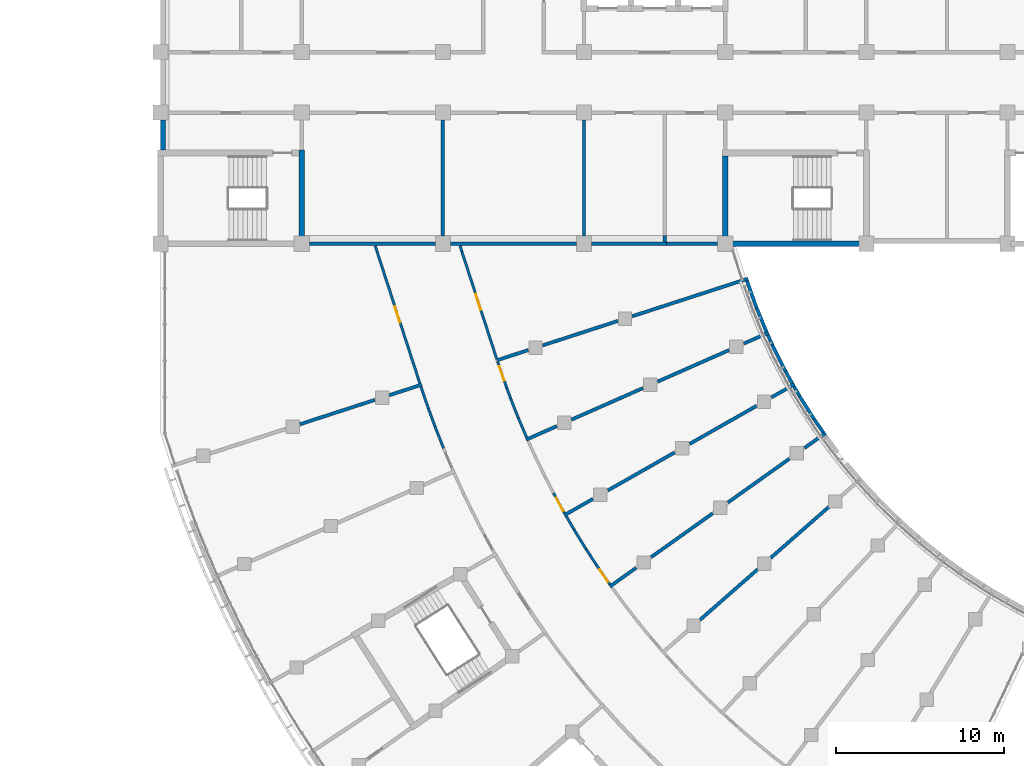
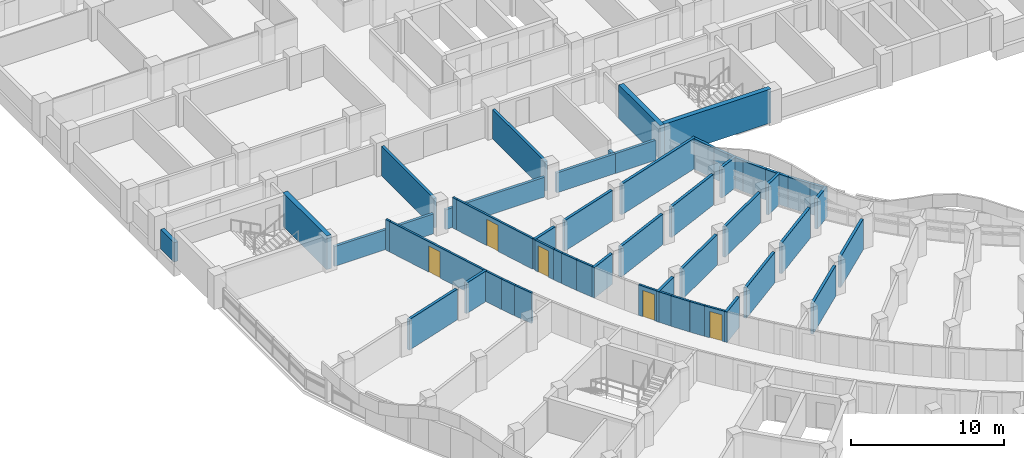
# One storey, part 43 of 89: 54 walls, 5 doors, 5 openings.
"""IFC4 building model written with IfcOpenShell, lengths in metres."""

from ifc_helpers import new_model, si_unit, direction, frame, frame_2d, origin, place, context, subcontext, project, spatial, rectangle, extrude, material, layer, layer_set, type_object, element, fill, save


model = new_model("IFC4")

# Units and contexts
model_context = context("Model", 3, precision=1e-05, world=origin(), true_north=direction((0.0, 1.0)))
body_context = subcontext(model_context, "Body", "Model", "MODEL_VIEW")
ifc_project = project(units=[si_unit("LENGTHUNIT", "METRE"), si_unit("AREAUNIT", "SQUARE_METRE"), si_unit("VOLUMEUNIT", "CUBIC_METRE"), si_unit("PLANEANGLEUNIT", "RADIAN"), si_unit("MASSUNIT", "GRAM", prefix="KILO")], contexts=[model_context])

# Site, building, storey
site_placement = place(None, origin())
site = spatial("IfcSite", under=ifc_project, at=site_placement, CompositionType="ELEMENT")
building_placement = place(site_placement, origin())
building = spatial("IfcBuilding", under=site, at=building_placement, Name="Bougainvillea Quay General Hospital", CompositionType="ELEMENT")
storey_placement = place(building_placement, frame((0.0, 0.0, 9.89990234375)))
storey = spatial("IfcBuildingStorey", under=building, at=storey_placement, Name="L01M", CompositionType="ELEMENT", Elevation=9.89990234375)

# Walls
ifc_material_1 = material(Name="Terracotta rainscreen cladding on insulated masonry backing, terracotta", Category="masonry")
ifc_layer_1 = layer(ifc_material_1, 0.300048828125)
ifc_layer_set_1 = layer_set([ifc_layer_1], Name="Terracotta rainscreen cladding on insulated masonry backing, terracotta")
wall_type_1 = type_object("IfcWallType", Name="External wall terracotta rainscreen 300", PredefinedType="STANDARD", material=ifc_layer_set_1)
wall_1_placement = place(storey_placement, frame((42.14990234375, 124.949951171875, 0.0), z_axis=(0.0, 0.0, 1.0), x_axis=(0.0, -1.0, 0.0)))
element("IfcWall", 1, at=wall_1_placement, inside=storey, type_object=wall_type_1, Name="External wall wall/V4/L01M/p0/10g", PredefinedType="STANDARD", context=body_context, shape_type="SweptSolid", body=[
    extrude(rectangle(XDim=1.77490234375, YDim=0.300048828125, at=frame_2d((0.887451171875, 0.0))), origin(), (0.0, 0.0, 1.0), 1.550048828125),
])
ifc_material_2 = material(Name="Gypsum board partition on steel studs, insulated", Category="steel")
ifc_layer_2 = layer(ifc_material_2, 0.14990234375)
ifc_layer_set_2 = layer_set([ifc_layer_2], Name="Gypsum board partition on steel studs, insulated")
wall_type_2 = type_object("IfcWallType", Name="Partition 150 Gypsum board partition EI 30", PredefinedType="PARTITIONING", material=ifc_layer_set_2)
wall_2_placement = place(storey_placement, frame((54.77001953125, 117.476806640625, 0.0), z_axis=(0.0, 0.0, 1.0), x_axis=(0.309101849499, -0.951028941009, 0.0)))
element("IfcWall", 2, at=wall_2_placement, inside=storey, type_object=wall_type_2, Name="Partition 150 mm EI 30", PredefinedType="PARTITIONING", context=body_context, shape_type="SweptSolid", body=[
    extrude(rectangle(XDim=0.349853515625, YDim=0.14990234375, at=frame_2d((0.1748046875, 0.0))), origin(), (0.0, 0.0, 1.0), 2.4501953125),
])

# Wall, opening, door
wall_3_placement = place(storey_placement, frame((54.878173828125, 117.14404296875, 0.0), z_axis=(0.0, 0.0, 1.0), x_axis=(0.309031297722, -0.951051868737, 0.0)))
wall_3 = element("IfcWall", 3, at=wall_3_placement, inside=storey, type_object=wall_type_2, Name="Partition 150 mm EI 30", PredefinedType="PARTITIONING", context=body_context, shape_type="SweptSolid", body=[
    extrude(rectangle(XDim=8.264404296875, YDim=0.14990234375, at=frame_2d((4.13232421875, 0.0))), origin(), (0.0, 0.0, 1.0), 2.4501953125),
])
opening_1_placement = place(wall_3_placement, frame((3.4423828125, 0.0, 0.0)))
opening_1 = element("IfcOpeningElement", 4, at=opening_1_placement, cuts=wall_3, Name="Opening L01M.175", PredefinedType="OPENING", context=body_context, shape_type="SweptSolid", body=[
    extrude(rectangle(XDim=1.0, YDim=2.10009765625, at=frame_2d((0.5, 1.050048828125))), frame((0.0, 0.0849609375, 0.0), z_axis=(0.0, -1.0, 0.0), x_axis=(1.0, 0.0, 0.0)), (0.0, 0.0, 1.0), 0.169921875),
])
ifc_material_3 = material(Name="Solid-core timber door leaf in steel frame", Category="steel")
door_type_1 = type_object("IfcDoorType", Name="Single leaf door 1000x2100 FD30S", OperationType="NOTDEFINED", PredefinedType="DOOR", material=ifc_material_3)
door_1_placement = place(opening_1_placement, frame((1.0, 0.0, 0.0), z_axis=(0.0, 0.0, 1.0), x_axis=(-1.0, 0.0, 0.0)))
door_1 = element("IfcDoor", 5, at=door_1_placement, inside=storey, type_object=door_type_1, Name="DT15 L01M.175", OperationType="SINGLE_SWING_RIGHT", OverallHeight=2.10009765625, OverallWidth=1.0, PredefinedType="DOOR", context=body_context, shape_type="SweptSolid", body=[
    extrude(rectangle(XDim=1.0, YDim=2.10009765625, at=frame_2d((0.5, 1.050048828125))), frame((0.0, 0.02490234375, 0.0), z_axis=(0.0, -1.0, 0.0), x_axis=(1.0, 0.0, 0.0)), (0.0, 0.0, 1.0), 0.050048828125),
])
fill(opening_1, door_1)

# Wall
wall_4_placement = place(storey_placement, frame((59.817138671875, 117.476318359375, 0.0), z_axis=(0.0, 0.0, 1.0), x_axis=(0.309101849499, -0.951028941009, 0.0)))
element("IfcWall", 6, at=wall_4_placement, inside=storey, type_object=wall_type_2, Name="Partition 150 mm EI 30", PredefinedType="PARTITIONING", context=body_context, shape_type="SweptSolid", body=[
    extrude(rectangle(XDim=0.349853515625, YDim=0.14990234375, at=frame_2d((0.1748046875, 0.0))), origin(), (0.0, 0.0, 1.0), 2.4501953125),
])

# Wall, opening, door
wall_5_placement = place(storey_placement, frame((59.92529296875, 117.1435546875, 0.0), z_axis=(0.0, 0.0, 1.0), x_axis=(0.309066319126, -0.951040488298, 0.0)))
wall_5 = element("IfcWall", 7, at=wall_5_placement, inside=storey, type_object=wall_type_2, Name="Partition 150 mm EI 30", PredefinedType="PARTITIONING", context=body_context, shape_type="SweptSolid", body=[
    extrude(rectangle(XDim=6.707275390625, YDim=0.14990234375, at=frame_2d((3.353515625, 0.0))), origin(), (0.0, 0.0, 1.0), 2.4501953125),
])
opening_2_placement = place(wall_5_placement, frame((2.661865234375, 0.0, 0.0)))
opening_2 = element("IfcOpeningElement", 8, at=opening_2_placement, cuts=wall_5, Name="Opening L01M.184", PredefinedType="OPENING", context=body_context, shape_type="SweptSolid", body=[
    extrude(rectangle(XDim=1.0, YDim=2.10009765625, at=frame_2d((0.5, 1.050048828125))), frame((0.0, 0.0849609375, 0.0), z_axis=(0.0, -1.0, 0.0), x_axis=(1.0, 0.0, 0.0)), (0.0, 0.0, 1.0), 0.169921875),
])
door_2_placement = place(opening_2_placement, origin())
door_2 = element("IfcDoor", 9, at=door_2_placement, inside=storey, type_object=door_type_1, Name="DT15 L01M.184", OperationType="SINGLE_SWING_LEFT", OverallHeight=2.10009765625, OverallWidth=1.0, PredefinedType="DOOR", context=body_context, shape_type="SweptSolid", body=[
    extrude(rectangle(XDim=1.0, YDim=2.10009765625, at=frame_2d((0.5, 1.050048828125))), frame((0.0, 0.02490234375, 0.0), z_axis=(0.0, -1.0, 0.0), x_axis=(1.0, 0.0, 0.0)), (0.0, 0.0, 1.0), 0.050048828125),
])
fill(opening_2, door_2)

ifc_layer_3 = layer(ifc_material_2, 0.14990234375)
ifc_layer_set_3 = layer_set([ifc_layer_3], Name="Gypsum board partition on steel studs, insulated")
wall_type_3 = type_object("IfcWallType", Name="Partition 150 Gypsum board partition EI 60", PredefinedType="PARTITIONING", material=ifc_layer_set_3)
wall_6_placement = place(storey_placement, frame((62.06201171875, 110.573486328125, 0.0), z_axis=(0.0, 0.0, 1.0), x_axis=(0.326823382888, -0.945085433386, 0.0)))
wall_6 = element("IfcWall", 10, at=wall_6_placement, inside=storey, type_object=wall_type_3, Name="Partition 150 mm EI 60", PredefinedType="PARTITIONING", context=body_context, shape_type="SweptSolid", body=[
    extrude(rectangle(XDim=1.63525390625, YDim=0.14990234375, at=frame_2d((0.817626953125, 0.0))), origin(), (0.0, 0.0, 1.0), 2.4501953125),
])
opening_3_placement = place(wall_6_placement, frame((0.27978515625, 0.0, 0.0)))
opening_3 = element("IfcOpeningElement", 11, at=opening_3_placement, cuts=wall_6, Name="Opening L01M.186", PredefinedType="OPENING", context=body_context, shape_type="SweptSolid", body=[
    extrude(rectangle(XDim=0.89990234375, YDim=2.10009765625, at=frame_2d((0.449951171875, 1.050048828125))), frame((0.0, 0.0849609375, 0.0), z_axis=(0.0, -1.0, 0.0), x_axis=(1.0, 0.0, 0.0)), (0.0, 0.0, 1.0), 0.169921875),
])
door_type_2 = type_object("IfcDoorType", Name="Single leaf door 900x2100 FD30S", OperationType="NOTDEFINED", PredefinedType="DOOR", material=ifc_material_3)
door_3_placement = place(opening_3_placement, origin())
door_3 = element("IfcDoor", 12, at=door_3_placement, inside=storey, type_object=door_type_2, Name="DT16 L01M.186", OperationType="SINGLE_SWING_LEFT", OverallHeight=2.10009765625, OverallWidth=0.89990234375, PredefinedType="DOOR", context=body_context, shape_type="SweptSolid", body=[
    extrude(rectangle(XDim=0.89990234375, YDim=2.10009765625, at=frame_2d((0.449951171875, 1.050048828125))), frame((0.0, 0.02490234375, 0.0), z_axis=(0.0, -1.0, 0.0), x_axis=(1.0, 0.0, 0.0)), (0.0, 0.0, 1.0), 0.050048828125),
])
fill(opening_3, door_3)

wall_7_placement = place(storey_placement, frame((67.91845703125, 98.5078125, 0.0), z_axis=(0.0, 0.0, 1.0), x_axis=(0.568459042743, -0.822711563504, 0.0)))
wall_7 = element("IfcWall", 13, at=wall_7_placement, inside=storey, type_object=wall_type_3, Name="Partition 150 mm EI 60", PredefinedType="PARTITIONING", context=body_context, shape_type="SweptSolid", body=[
    extrude(rectangle(XDim=1.4375, YDim=0.14990234375, at=frame_2d((0.71875, 0.0))), origin(), (0.0, 0.0, 1.0), 2.4501953125),
])
opening_4_placement = place(wall_7_placement, frame((0.356689453125, 0.0, 0.0)))
opening_4 = element("IfcOpeningElement", 14, at=opening_4_placement, cuts=wall_7, Name="Opening L01M.183", PredefinedType="OPENING", context=body_context, shape_type="SweptSolid", body=[
    extrude(rectangle(XDim=0.89990234375, YDim=2.10009765625, at=frame_2d((0.449951171875, 1.050048828125))), frame((0.0, 0.0849609375, 0.0), z_axis=(0.0, -1.0, 0.0), x_axis=(1.0, 0.0, 0.0)), (0.0, 0.0, 1.0), 0.169921875),
])
door_4_placement = place(opening_4_placement, origin())
door_4 = element("IfcDoor", 15, at=door_4_placement, inside=storey, type_object=door_type_2, Name="DT16 L01M.183", OperationType="SINGLE_SWING_RIGHT", OverallHeight=2.10009765625, OverallWidth=0.89990234375, PredefinedType="DOOR", context=body_context, shape_type="SweptSolid", body=[
    extrude(rectangle(XDim=0.89990234375, YDim=2.10009765625, at=frame_2d((0.449951171875, 1.050048828125))), frame((0.0, 0.02490234375, 0.0), z_axis=(0.0, -1.0, 0.0), x_axis=(1.0, 0.0, 0.0)), (0.0, 0.0, 1.0), 0.050048828125),
])
fill(opening_4, door_4)

# Wall
wall_8_placement = place(storey_placement, frame((58.324462890625, 106.735595703125, 0.0), z_axis=(0.0, 0.0, 1.0), x_axis=(0.367732288241, -0.929931698667, 0.0)))
element("IfcWall", 16, at=wall_8_placement, inside=storey, type_object=wall_type_3, Name="Partition 150 mm EI 60", PredefinedType="PARTITIONING", context=body_context, shape_type="SweptSolid", body=[
    extrude(rectangle(XDim=1.40478515625, YDim=0.14990234375, at=frame_2d((0.702392578125, 0.0))), origin(), (0.0, 0.0, 1.0), 2.4501953125),
])

# Wall, opening, door
wall_9_placement = place(storey_placement, frame((65.3798828125, 102.763671875, 0.0), z_axis=(0.0, 0.0, 1.0), x_axis=(0.482660806307, -0.875807368121, 0.0)))
wall_9 = element("IfcWall", 17, at=wall_9_placement, inside=storey, type_object=wall_type_3, Name="Partition 150 mm EI 60", PredefinedType="PARTITIONING", context=body_context, shape_type="SweptSolid", body=[
    extrude(rectangle(XDim=1.36376953125, YDim=0.14990234375, at=frame_2d((0.681884765625, 0.0))), origin(), (0.0, 0.0, 1.0), 2.4501953125),
])
opening_5_placement = place(wall_9_placement, frame((0.31982421875, 0.0, 0.0)))
opening_5 = element("IfcOpeningElement", 18, at=opening_5_placement, cuts=wall_9, Name="Opening L01M.185", PredefinedType="OPENING", context=body_context, shape_type="SweptSolid", body=[
    extrude(rectangle(XDim=0.89990234375, YDim=2.10009765625, at=frame_2d((0.449951171875, 1.050048828125))), frame((0.0, 0.0849609375, 0.0), z_axis=(0.0, -1.0, 0.0), x_axis=(1.0, 0.0, 0.0)), (0.0, 0.0, 1.0), 0.169921875),
])
door_5_placement = place(opening_5_placement, origin())
door_5 = element("IfcDoor", 19, at=door_5_placement, inside=storey, type_object=door_type_2, Name="DT16 L01M.185", OperationType="SINGLE_SWING_RIGHT", OverallHeight=2.10009765625, OverallWidth=0.89990234375, PredefinedType="DOOR", context=body_context, shape_type="SweptSolid", body=[
    extrude(rectangle(XDim=0.89990234375, YDim=2.10009765625, at=frame_2d((0.449951171875, 1.050048828125))), frame((0.0, 0.02490234375, 0.0), z_axis=(0.0, -1.0, 0.0), x_axis=(1.0, 0.0, 0.0)), (0.0, 0.0, 1.0), 0.050048828125),
])
fill(opening_5, door_5)

# Walls
wall_10_placement = place(storey_placement, frame((57.495361328125, 109.093505859375, 0.0), z_axis=(0.0, 0.0, 1.0), x_axis=(0.321080298912, -0.947051974102, 0.0)))
element("IfcWall", 20, at=wall_10_placement, inside=storey, type_object=wall_type_3, Name="Partition 150 mm EI 60", PredefinedType="PARTITIONING", context=body_context, shape_type="SweptSolid", body=[
    extrude(rectangle(XDim=1.357177734375, YDim=0.14990234375, at=frame_2d((0.6787109375, 0.0))), origin(), (0.0, 0.0, 1.0), 2.4501953125),
])
wall_11_placement = place(storey_placement, frame((63.279541015625, 107.2509765625, 0.0), z_axis=(0.0, 0.0, 1.0), x_axis=(0.392891207532, -0.91958496021, 0.0)))
element("IfcWall", 21, at=wall_11_placement, inside=storey, type_object=wall_type_3, Name="Partition 150 mm EI 60", PredefinedType="PARTITIONING", context=body_context, shape_type="SweptSolid", body=[
    extrude(rectangle(XDim=1.2900390625, YDim=0.14990234375, at=frame_2d((0.64501953125, 0.0))), origin(), (0.0, 0.0, 1.0), 2.4501953125),
])
wall_12_placement = place(storey_placement, frame((57.93212890625, 107.810302734375, 0.0), z_axis=(0.0, 0.0, 1.0), x_axis=(0.344530098651, -0.938775271896, 0.0)))
element("IfcWall", 22, at=wall_12_placement, inside=storey, type_object=wall_type_3, Name="Partition 150 mm EI 60", PredefinedType="PARTITIONING", context=body_context, shape_type="SweptSolid", body=[
    extrude(rectangle(XDim=1.145751953125, YDim=0.14990234375, at=frame_2d((0.57275390625, 0.0))), origin(), (0.0, 0.0, 1.0), 2.4501953125),
])
wall_13_placement = place(storey_placement, frame((66.595703125, 100.60400390625, 0.0), z_axis=(0.0, 0.0, 1.0), x_axis=(0.524097425664, -0.851658316705, 0.0)))
element("IfcWall", 23, at=wall_13_placement, inside=storey, type_object=wall_type_3, Name="Partition 150 mm EI 60", PredefinedType="PARTITIONING", context=body_context, shape_type="SweptSolid", body=[
    extrude(rectangle(XDim=1.39013671875, YDim=0.14990234375, at=frame_2d((0.695068359375, 0.0))), origin(), (0.0, 0.0, 1.0), 2.4501953125),
])
wall_14_placement = place(storey_placement, frame((62.825439453125, 108.40380859375, 0.0), z_axis=(0.0, 0.0, 1.0), x_axis=(0.367927959825, -0.929854298468, 0.0)))
element("IfcWall", 24, at=wall_14_placement, inside=storey, type_object=wall_type_3, Name="Partition 150 mm EI 60", PredefinedType="PARTITIONING", context=body_context, shape_type="SweptSolid", body=[
    extrude(rectangle(XDim=1.240966796875, YDim=0.14990234375, at=frame_2d((0.62060546875, 0.0))), origin(), (0.0, 0.0, 1.0), 2.4501953125),
])
wall_15_placement = place(storey_placement, frame((67.324951171875, 99.422607421875, 0.0), z_axis=(0.0, 0.0, 1.0), x_axis=(0.545695067676, -0.837983826284, 0.0)))
element("IfcWall", 25, at=wall_15_placement, inside=storey, type_object=wall_type_3, Name="Partition 150 mm EI 60", PredefinedType="PARTITIONING", context=body_context, shape_type="SweptSolid", body=[
    extrude(rectangle(XDim=1.092529296875, YDim=0.14990234375, at=frame_2d((0.54638671875, 0.0))), origin(), (0.0, 0.0, 1.0), 2.4501953125),
])
wall_16_placement = place(storey_placement, frame((66.1376953125, 101.393798828125, 0.0), z_axis=(0.0, 0.0, 1.0), x_axis=(0.503306768909, -0.864107803674, 0.0)))
element("IfcWall", 26, at=wall_16_placement, inside=storey, type_object=wall_type_3, Name="Partition 150 mm EI 60", PredefinedType="PARTITIONING", context=body_context, shape_type="SweptSolid", body=[
    extrude(rectangle(XDim=0.914794921875, YDim=0.14990234375, at=frame_2d((0.45751953125, 0.0))), origin(), (0.0, 0.0, 1.0), 2.4501953125),
])
wall_17_placement = place(storey_placement, frame((62.598388671875, 109.02734375, 0.0), z_axis=(0.0, 0.0, 1.0), x_axis=(0.344804270837, -0.938674605395, 0.0)))
element("IfcWall", 27, at=wall_17_placement, inside=storey, type_object=wall_type_3, Name="Partition 150 mm EI 60", PredefinedType="PARTITIONING", context=body_context, shape_type="SweptSolid", body=[
    extrude(rectangle(XDim=0.66552734375, YDim=0.14990234375, at=frame_2d((0.332763671875, 0.0))), origin(), (0.0, 0.0, 1.0), 2.4501953125),
])
ifc_material_4 = material(Name="Fire-rated autoclaved aerated block wall, plastered")
ifc_layer_4 = layer(ifc_material_4, 0.199951171875)
ifc_layer_set_4 = layer_set([ifc_layer_4], Name="Fire-rated autoclaved aerated block wall, plastered")
wall_type_4 = type_object("IfcWallType", Name="Partition 200 Fire-rated autoclaved aerated block wall EI 120", PredefinedType="SOLIDWALL", material=ifc_layer_set_4)
wall_18_placement = place(storey_placement, frame((72.097900390625, 117.597900390625, 0.0), z_axis=(0.0, 0.0, 1.0), x_axis=(-0.999999993975, 0.000109775508, 0.0)))
element("IfcWall", 28, at=wall_18_placement, inside=storey, type_object=wall_type_4, Name="Partition 200 mm EI 120", PredefinedType="SOLIDWALL", context=body_context, shape_type="SweptSolid", body=[
    extrude(rectangle(XDim=4.447998046875, YDim=0.199951171875, at=frame_2d((2.22412109375, 0.0))), origin(), (0.0, 0.0, 1.0), 1.580078125),
])
for number, where, z_axis, x_axis, name in (
    (29, (66.75, 117.598388671875, 0.0), (0.0, 0.0, 1.0), (-0.999999995232, 9.765625e-05, 0.0), "Partition 200 mm EI 120"),
    (30, (58.35009765625, 117.599365234375, 0.0), (0.0, 0.0, 1.0), (-0.999999995232, 9.765625e-05, 0.0), "Partition 200 mm EI 120"),
):
    element("IfcWall", number, at=place(storey_placement, frame(where, z_axis=z_axis, x_axis=x_axis)), inside=storey, type_object=wall_type_4, Name=name, PredefinedType="SOLIDWALL", context=body_context, shape_type="SweptSolid", body=[
        extrude(rectangle(XDim=7.5, YDim=0.199951171875, at=frame_2d((3.75, 0.0))), origin(), (0.0, 0.0, 1.0), 1.580078125),
    ])
for number, where, z_axis, x_axis, name in (
    (31, (58.798095703125, 118.050048828125, 0.0), (0.0, 0.0, 1.0), (0.0, 1.0, 0.0), "Partition 200 mm EI 120"),
    (32, (67.197998046875, 118.050048828125, 0.0), (0.0, 0.0, 1.0), (0.0, 1.0, 0.0), "Partition 200 mm EI 120"),
):
    element("IfcWall", number, at=place(storey_placement, frame(where, z_axis=z_axis, x_axis=x_axis)), inside=storey, type_object=wall_type_4, Name=name, PredefinedType="SOLIDWALL", context=body_context, shape_type="SweptSolid", body=[
        extrude(rectangle(XDim=6.89990234375, YDim=0.199951171875, at=frame_2d((3.449951171875, 0.0))), origin(), (0.0, 0.0, 1.0), 2.35009765625),
    ])
wall_19_placement = place(storey_placement, frame((71.998046875, 117.697998046875, 0.0), z_axis=(0.0, 0.0, 1.0), x_axis=(0.0, 1.0, 0.0)))
element("IfcWall", 33, at=wall_19_placement, inside=storey, type_object=wall_type_4, Name="Partition 200 mm EI 120", PredefinedType="SOLIDWALL", context=body_context, shape_type="SweptSolid", body=[
    extrude(rectangle(XDim=0.39990234375, YDim=0.199951171875, at=frame_2d((0.199951171875, 0.0))), origin(), (0.0, 0.0, 1.0), 1.580078125),
])
ifc_layer_5 = layer(ifc_material_4, 0.199951171875)
ifc_layer_set_5 = layer_set([ifc_layer_5], Name="Fire-rated autoclaved aerated block wall, plastered")
wall_type_5 = type_object("IfcWallType", Name="Partition 200 Fire-rated autoclaved aerated block wall EI 60", PredefinedType="SOLIDWALL", material=ifc_layer_set_5)
wall_20_placement = place(storey_placement, frame((72.097900390625, 117.597900390625, 0.0), z_axis=(0.0, 0.0, 1.0), x_axis=(1.0, 0.0, 0.0)))
element("IfcWall", 34, at=wall_20_placement, inside=storey, type_object=wall_type_5, Name="Partition 200 mm EI 60", PredefinedType="SOLIDWALL", context=body_context, shape_type="SweptSolid", body=[
    extrude(rectangle(XDim=3.052001953125, YDim=0.199951171875, at=frame_2d((1.52587890625, 0.0))), origin(), (0.0, 0.0, 1.0), 1.580078125),
])
wall_21_placement = place(storey_placement, frame((50.285400390625, 106.8544921875, 0.0), z_axis=(0.0, 0.0, 1.0), x_axis=(0.950961445557, 0.309309439017, 0.0)))
element("IfcWall", 35, at=wall_21_placement, inside=storey, type_object=wall_type_5, Name="Partition 200 mm EI 60", PredefinedType="SOLIDWALL", context=body_context, shape_type="SweptSolid", body=[
    extrude(rectangle(XDim=4.695556640625, YDim=0.199951171875, at=frame_2d((2.34765625, 0.0))), origin(), (0.0, 0.0, 1.0), 2.4501953125),
])
wall_22_placement = place(storey_placement, frame((55.611328125, 108.586669921875, 0.0), z_axis=(0.0, 0.0, 1.0), x_axis=(0.950952404318, 0.309337234619, 0.0)))
element("IfcWall", 36, at=wall_22_placement, inside=storey, type_object=wall_type_5, Name="Partition 200 mm EI 60", PredefinedType="SOLIDWALL", context=body_context, shape_type="SweptSolid", body=[
    extrude(rectangle(XDim=2.02197265625, YDim=0.199951171875, at=frame_2d((1.010986328125, 0.0))), origin(), (0.0, 0.0, 1.0), 2.4501953125),
])
wall_23_placement = place(storey_placement, frame((63.75732421875, 105.941650390625, 0.0), z_axis=(0.0, 0.0, 1.0), x_axis=(0.91480459559, 0.403896709429, 0.0)))
element("IfcWall", 37, at=wall_23_placement, inside=storey, type_object=wall_type_5, Name="Partition 200 mm EI 60", PredefinedType="SOLIDWALL", context=body_context, shape_type="SweptSolid", body=[
    extrude(rectangle(XDim=1.99169921875, YDim=0.199951171875, at=frame_2d((0.995849609375, 0.0))), origin(), (0.0, 0.0, 1.0), 2.4501953125),
])
wall_24_placement = place(storey_placement, frame((66.45849609375, 107.134033203125, 0.0), z_axis=(0.0, 0.0, 1.0), x_axis=(0.914820027479, 0.403861755213, 0.0)))
element("IfcWall", 38, at=wall_24_placement, inside=storey, type_object=wall_type_5, Name="Partition 200 mm EI 60", PredefinedType="SOLIDWALL", context=body_context, shape_type="SweptSolid", body=[
    extrude(rectangle(XDim=4.63916015625, YDim=0.199951171875, at=frame_2d((2.319580078125, 0.0))), origin(), (0.0, 0.0, 1.0), 2.4501953125),
])
wall_25_placement = place(storey_placement, frame((71.58154296875, 109.395751953125, 0.0), z_axis=(0.0, 0.0, 1.0), x_axis=(0.914834914902, 0.40382803082, 0.0)))
element("IfcWall", 39, at=wall_25_placement, inside=storey, type_object=wall_type_5, Name="Partition 200 mm EI 60", PredefinedType="SOLIDWALL", context=body_context, shape_type="SweptSolid", body=[
    extrude(rectangle(XDim=4.64013671875, YDim=0.199951171875, at=frame_2d((2.320068359375, 0.0))), origin(), (0.0, 0.0, 1.0), 2.4501953125),
])
wall_26_placement = place(storey_placement, frame((76.70556640625, 111.65771484375, 0.0), z_axis=(0.0, 0.0, 1.0), x_axis=(0.914871927274, 0.403744172323, 0.0)))
element("IfcWall", 40, at=wall_26_placement, inside=storey, type_object=wall_type_5, Name="Partition 200 mm EI 60", PredefinedType="SOLIDWALL", context=body_context, shape_type="SweptSolid", body=[
    extrude(rectangle(XDim=1.61865234375, YDim=0.199951171875, at=frame_2d((0.809326171875, 0.0))), origin(), (0.0, 0.0, 1.0), 2.4501953125),
])
wall_27_placement = place(storey_placement, frame((66.021728515625, 101.44384765625, 0.0), z_axis=(0.0, 0.0, 1.0), x_axis=(0.869270144925, 0.494337349532, 0.0)))
element("IfcWall", 41, at=wall_27_placement, inside=storey, type_object=wall_type_5, Name="Partition 200 mm EI 60", PredefinedType="SOLIDWALL", context=body_context, shape_type="SweptSolid", body=[
    extrude(rectangle(XDim=1.956787109375, YDim=0.199951171875, at=frame_2d((0.978515625, 0.0))), origin(), (0.0, 0.0, 1.0), 2.4501953125),
])
wall_28_placement = place(storey_placement, frame((68.619384765625, 102.92138671875, 0.0), z_axis=(0.0, 0.0, 1.0), x_axis=(0.869273909114, 0.494330730315, 0.0)))
element("IfcWall", 42, at=wall_28_placement, inside=storey, type_object=wall_type_5, Name="Partition 200 mm EI 60", PredefinedType="SOLIDWALL", context=body_context, shape_type="SweptSolid", body=[
    extrude(rectangle(XDim=4.568359375, YDim=0.199951171875, at=frame_2d((2.2841796875, 0.0))), origin(), (0.0, 0.0, 1.0), 2.4501953125),
])
wall_29_placement = place(storey_placement, frame((73.4873046875, 105.68994140625, 0.0), z_axis=(0.0, 0.0, 1.0), x_axis=(0.869250944646, 0.49437111084, 0.0)))
element("IfcWall", 43, at=wall_29_placement, inside=storey, type_object=wall_type_5, Name="Partition 200 mm EI 60", PredefinedType="SOLIDWALL", context=body_context, shape_type="SweptSolid", body=[
    extrude(rectangle(XDim=4.568603515625, YDim=0.199951171875, at=frame_2d((2.2841796875, 0.0))), origin(), (0.0, 0.0, 1.0), 2.4501953125),
])
wall_30_placement = place(storey_placement, frame((78.35546875, 108.45849609375, 0.0), z_axis=(0.0, 0.0, 1.0), x_axis=(0.869218667817, 0.49442785876, 0.0)))
element("IfcWall", 44, at=wall_30_placement, inside=storey, type_object=wall_type_5, Name="Partition 200 mm EI 60", PredefinedType="SOLIDWALL", context=body_context, shape_type="SweptSolid", body=[
    extrude(rectangle(XDim=1.58349609375, YDim=0.199951171875, at=frame_2d((0.791748046875, 0.0))), origin(), (0.0, 0.0, 1.0), 2.4501953125),
])
wall_31_placement = place(storey_placement, frame((68.73193359375, 97.198486328125, 0.0), z_axis=(0.0, 0.0, 1.0), x_axis=(0.814746907165, 0.5798167618, 0.0)))
element("IfcWall", 45, at=wall_31_placement, inside=storey, type_object=wall_type_5, Name="Partition 200 mm EI 60", PredefinedType="SOLIDWALL", context=body_context, shape_type="SweptSolid", body=[
    extrude(rectangle(XDim=1.91845703125, YDim=0.199951171875, at=frame_2d((0.959228515625, 0.0))), origin(), (0.0, 0.0, 1.0), 2.4501953125),
])
for number, where, z_axis, x_axis, name in (
    (46, (71.194580078125, 98.951171875, 0.0), (0.0, 0.0, 1.0), (0.81470844083, 0.579870810129, 0.0), "Partition 200 mm EI 60"),
    (47, (75.756591796875, 102.1982421875, 0.0), (0.0, 0.0, 1.0), (0.814752357339, 0.579809103249, 0.0), "Partition 200 mm EI 60"),
):
    element("IfcWall", number, at=place(storey_placement, frame(where, z_axis=z_axis, x_axis=x_axis)), inside=storey, type_object=wall_type_5, Name=name, PredefinedType="SOLIDWALL", context=body_context, shape_type="SweptSolid", body=[
        extrude(rectangle(XDim=4.495361328125, YDim=0.199951171875, at=frame_2d((2.24755859375, 0.0))), origin(), (0.0, 0.0, 1.0), 2.4501953125),
    ])
wall_32_placement = place(storey_placement, frame((80.319091796875, 105.4453125, 0.0), z_axis=(0.0, 0.0, 1.0), x_axis=(0.81475502869, 0.579805349428, 0.0)))
element("IfcWall", 48, at=wall_32_placement, inside=storey, type_object=wall_type_5, Name="Partition 200 mm EI 60", PredefinedType="SOLIDWALL", context=body_context, shape_type="SweptSolid", body=[
    extrude(rectangle(XDim=1.54833984375, YDim=0.199951171875, at=frame_2d((0.774169921875, 0.0))), origin(), (0.0, 0.0, 1.0), 2.4501953125),
])
wall_33_placement = place(storey_placement, frame((74.086669921875, 95.204345703125, 0.0), z_axis=(0.0, 0.0, 1.0), x_axis=(0.751831429018, 0.659355368781, 0.0)))
element("IfcWall", 49, at=wall_33_placement, inside=storey, type_object=wall_type_5, Name="Partition 200 mm EI 60", PredefinedType="SOLIDWALL", context=body_context, shape_type="SweptSolid", body=[
    extrude(rectangle(XDim=4.609619140625, YDim=0.199951171875, at=frame_2d((2.3046875, 0.0))), origin(), (0.0, 0.0, 1.0), 2.4501953125),
])
wall_34_placement = place(storey_placement, frame((78.29638671875, 98.896240234375, 0.0), z_axis=(0.0, 0.0, 1.0), x_axis=(0.751815287375, 0.659373773871, 0.0)))
element("IfcWall", 50, at=wall_34_placement, inside=storey, type_object=wall_type_5, Name="Partition 200 mm EI 60", PredefinedType="SOLIDWALL", context=body_context, shape_type="SweptSolid", body=[
    extrude(rectangle(XDim=4.611328125, YDim=0.199951171875, at=frame_2d((2.3056640625, 0.0))), origin(), (0.0, 0.0, 1.0), 2.4501953125),
])
wall_35_placement = place(storey_placement, frame((62.0146484375, 110.664794921875, 0.0), z_axis=(0.0, 0.0, 1.0), x_axis=(0.950996571819, 0.309201423652, 0.0)))
element("IfcWall", 51, at=wall_35_placement, inside=storey, type_object=wall_type_5, Name="Partition 200 mm EI 60", PredefinedType="SOLIDWALL", context=body_context, shape_type="SweptSolid", body=[
    extrude(rectangle(XDim=1.962158203125, YDim=0.199951171875, at=frame_2d((0.98095703125, 0.0))), origin(), (0.0, 0.0, 1.0), 2.4501953125),
])
wall_36_placement = place(storey_placement, frame((64.7412109375, 111.551513671875, 0.0), z_axis=(0.0, 0.0, 1.0), x_axis=(0.950996999886, 0.309200107065, 0.0)))
element("IfcWall", 52, at=wall_36_placement, inside=storey, type_object=wall_type_5, Name="Partition 200 mm EI 60", PredefinedType="SOLIDWALL", context=body_context, shape_type="SweptSolid", body=[
    extrude(rectangle(XDim=4.695556640625, YDim=0.199951171875, at=frame_2d((2.34765625, 0.0))), origin(), (0.0, 0.0, 1.0), 2.4501953125),
])
wall_37_placement = place(storey_placement, frame((70.0673828125, 113.283203125, 0.0), z_axis=(0.0, 0.0, 1.0), x_axis=(0.950995438979, 0.309204907856, 0.0)))
element("IfcWall", 53, at=wall_37_placement, inside=storey, type_object=wall_type_5, Name="Partition 200 mm EI 60", PredefinedType="SOLIDWALL", context=body_context, shape_type="SweptSolid", body=[
    extrude(rectangle(XDim=7.246826171875, YDim=0.199951171875, at=frame_2d((3.62353515625, 0.0))), origin(), (0.0, 0.0, 1.0), 2.4501953125),
])
wall_38_placement = place(storey_placement, frame((76.896484375, 115.40087890625, 0.0), z_axis=(0.0, 0.0, 1.0), x_axis=(0.333122949491, -0.942883397098, 0.0)))
element("IfcWall", 54, at=wall_38_placement, inside=storey, type_object=wall_type_5, Name="Partition 200 mm EI 60", PredefinedType="SOLIDWALL", context=body_context, shape_type="SweptSolid", body=[
    extrude(rectangle(XDim=1.728759765625, YDim=0.199951171875, at=frame_2d((0.8642578125, 0.0))), origin(), (0.0, 0.0, 1.0), 2.4501953125),
])
wall_39_placement = place(storey_placement, frame((77.47509765625, 113.777099609375, 0.0), z_axis=(0.0, 0.0, 1.0), x_axis=(0.38058139717, -0.924747425046, 0.0)))
element("IfcWall", 55, at=wall_39_placement, inside=storey, type_object=wall_type_5, Name="Partition 200 mm EI 60", PredefinedType="SOLIDWALL", context=body_context, shape_type="SweptSolid", body=[
    extrude(rectangle(XDim=1.53125, YDim=0.199951171875, at=frame_2d((0.765625, 0.0))), origin(), (0.0, 0.0, 1.0), 2.4501953125),
])
wall_40_placement = place(storey_placement, frame((78.408203125, 111.575439453125, 0.0), z_axis=(0.0, 0.0, 1.0), x_axis=(0.447494222103, -0.89428682266, 0.0)))
element("IfcWall", 56, at=wall_40_placement, inside=storey, type_object=wall_type_5, Name="Partition 200 mm EI 60", PredefinedType="SOLIDWALL", context=body_context, shape_type="SweptSolid", body=[
    extrude(rectangle(XDim=1.73974609375, YDim=0.199951171875, at=frame_2d((0.869873046875, 0.0))), origin(), (0.0, 0.0, 1.0), 2.4501953125),
])
wall_41_placement = place(storey_placement, frame((80.027587890625, 108.532470703125, 0.0), z_axis=(0.0, 0.0, 1.0), x_axis=(0.534110896363, -0.84541442523, 0.0)))
element("IfcWall", 57, at=wall_41_placement, inside=storey, type_object=wall_type_5, Name="Partition 200 mm EI 60", PredefinedType="SOLIDWALL", context=body_context, shape_type="SweptSolid", body=[
    extrude(rectangle(XDim=1.635986328125, YDim=0.199951171875, at=frame_2d((0.81787109375, 0.0))), origin(), (0.0, 0.0, 1.0), 2.4501953125),
])
wall_42_placement = place(storey_placement, frame((80.902587890625, 107.154541015625, 0.0), z_axis=(0.0, 0.0, 1.0), x_axis=(0.565593097798, -0.824684453427, 0.0)))
element("IfcWall", 58, at=wall_42_placement, inside=storey, type_object=wall_type_5, Name="Partition 200 mm EI 60", PredefinedType="SOLIDWALL", context=body_context, shape_type="SweptSolid", body=[
    extrude(rectangle(XDim=0.95263671875, YDim=0.199951171875, at=frame_2d((0.476318359375, 0.0))), origin(), (0.0, 0.0, 1.0), 2.4501953125),
])
wall_43_placement = place(storey_placement, frame((79.188232421875, 110.0244140625, 0.0), z_axis=(0.0, 0.0, 1.0), x_axis=(0.481089632331, -0.876671412596, 0.0)))
element("IfcWall", 59, at=wall_43_placement, inside=storey, type_object=wall_type_5, Name="Partition 200 mm EI 60", PredefinedType="SOLIDWALL", context=body_context, shape_type="SweptSolid", body=[
    extrude(rectangle(XDim=0.847900390625, YDim=0.199951171875, at=frame_2d((0.423828125, 0.0))), origin(), (0.0, 0.0, 1.0), 2.4501953125),
])
wall_44_placement = place(storey_placement, frame((78.136962890625, 112.178955078125, 0.0), z_axis=(0.0, 0.0, 1.0), x_axis=(0.414770625864, -0.909926001343, 0.0)))
element("IfcWall", 60, at=wall_44_placement, inside=storey, type_object=wall_type_5, Name="Partition 200 mm EI 60", PredefinedType="SOLIDWALL", context=body_context, shape_type="SweptSolid", body=[
    extrude(rectangle(XDim=0.6650390625, YDim=0.199951171875, at=frame_2d((0.33251953125, 0.0))), origin(), (0.0, 0.0, 1.0), 2.4501953125),
])
wall_45_placement = place(storey_placement, frame((79.6962890625, 109.1044921875, 0.0), z_axis=(0.0, 0.0, 1.0), x_axis=(0.505493047434, -0.862830678057, 0.0)))
element("IfcWall", 61, at=wall_45_placement, inside=storey, type_object=wall_type_5, Name="Partition 200 mm EI 60", PredefinedType="SOLIDWALL", context=body_context, shape_type="SweptSolid", body=[
    extrude(rectangle(XDim=0.6640625, YDim=0.199951171875, at=frame_2d((0.33203125, 0.0))), origin(), (0.0, 0.0, 1.0), 2.4501953125),
])
ifc_material_5 = material(Name="Concrete C40", Category="concrete")
ifc_layer_6 = layer(ifc_material_5, 0.35009765625)
ifc_layer_set_6 = layer_set([ifc_layer_6], Name="Concrete C40")
wall_type_6 = type_object("IfcWallType", Name="RC SHEAR WALL 350 C40", PredefinedType="SHEAR", material=ifc_layer_set_6)
wall_46_placement = place(storey_placement, frame((50.39990234375, 117.425048828125, 0.0), z_axis=(0.0, 0.0, 1.0), x_axis=(0.0, 1.0, 0.0)))
element("IfcWall", 62, at=wall_46_placement, inside=storey, type_object=wall_type_6, Name="Shear wall L01M", PredefinedType="SHEAR", context=body_context, shape_type="SweptSolid", body=[
    extrude(rectangle(XDim=5.75, YDim=0.35009765625, at=frame_2d((2.875, 0.0))), origin(), (0.0, 0.0, 1.0), 2.7001953125),
])
wall_47_placement = place(storey_placement, frame((75.60009765625, 117.425048828125, 0.0), z_axis=(0.0, 0.0, 1.0), x_axis=(0.0, 1.0, 0.0)))
element("IfcWall", 63, at=wall_47_placement, inside=storey, type_object=wall_type_6, Name="Shear wall L01M", PredefinedType="SHEAR", context=body_context, shape_type="SweptSolid", body=[
    extrude(rectangle(XDim=5.39990234375, YDim=0.35009765625, at=frame_2d((2.699951171875, 0.0))), origin(), (0.0, 0.0, 1.0), 2.7001953125),
])
wall_48_placement = place(storey_placement, frame((75.77490234375, 117.60009765625, 0.0), z_axis=(0.0, 0.0, 1.0), x_axis=(1.0, 0.0, 0.0)))
element("IfcWall", 64, at=wall_48_placement, inside=storey, type_object=wall_type_6, Name="Shear wall L01M", PredefinedType="SHEAR", context=body_context, shape_type="SweptSolid", body=[
    extrude(rectangle(XDim=8.050048828125, YDim=0.35009765625, at=frame_2d((4.02490234375, 0.0))), origin(), (0.0, 0.0, 1.0), 2.7001953125),
])

save(model, "model.ifc")
